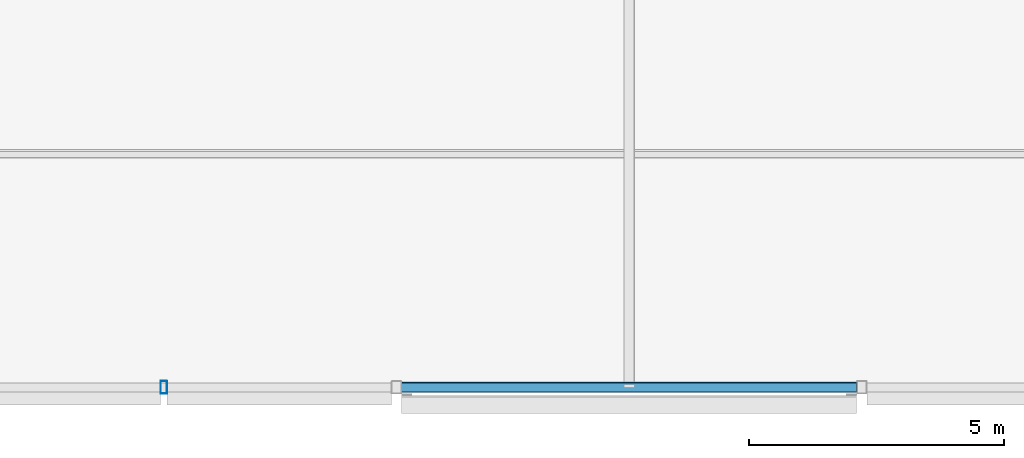
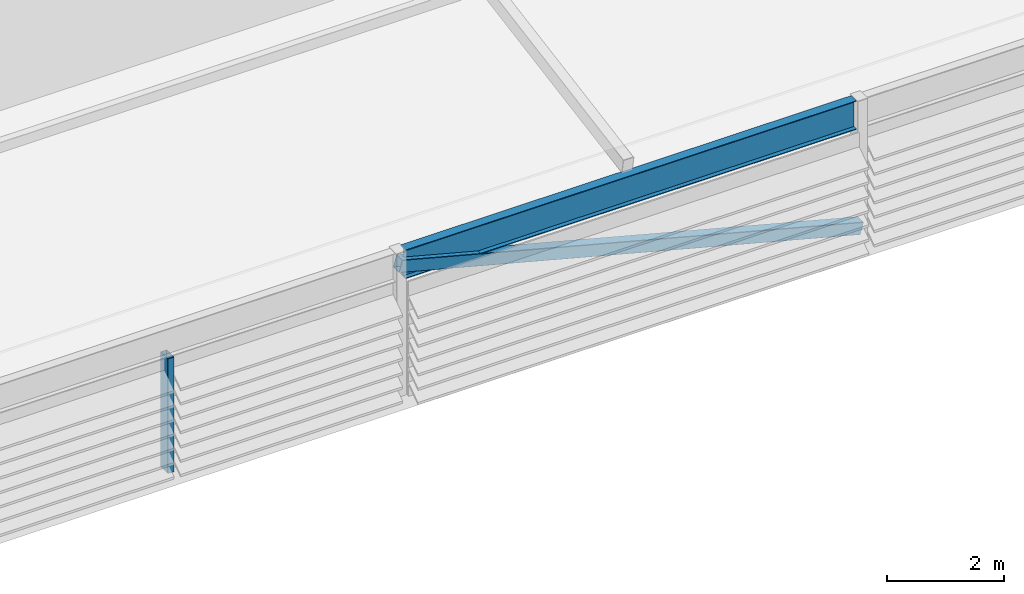
# One storey, part 6 of 46: 2 members, 1 beam.
"""IFC4 building model written with IfcOpenShell, lengths in metres."""

from ifc_helpers import new_model, si_unit, direction, frame, origin, origin_2d, place, context, subcontext, project, spatial, hollow_rectangle, i_section, extrude, material, material_profile, profile_set, type_object, element, save


model = new_model("IFC4")

# Units and contexts
model_context = context("Model", 3, precision=1e-05, world=origin(), true_north=direction((0.0, 1.0)))
body_context = subcontext(model_context, "Body", "Model", "MODEL_VIEW")
ifc_project = project(units=[si_unit("LENGTHUNIT", "METRE"), si_unit("AREAUNIT", "SQUARE_METRE"), si_unit("VOLUMEUNIT", "CUBIC_METRE"), si_unit("PLANEANGLEUNIT", "RADIAN"), si_unit("MASSUNIT", "GRAM", prefix="KILO")], contexts=[model_context])

# Site, building, storey
site_placement = place(None, origin())
site = spatial("IfcSite", under=ifc_project, at=site_placement, CompositionType="ELEMENT")
building_placement = place(site_placement, origin())
building = spatial("IfcBuilding", under=site, at=building_placement, Name="Madar Terraces", CompositionType="ELEMENT")
storey_placement = place(building_placement, frame((0.0, 0.0, 317.300048828125)))
storey = spatial("IfcBuildingStorey", under=building, at=storey_placement, Name="L82", CompositionType="ELEMENT", Elevation=317.300048828125)

# Beam
ifc_material_1 = material(Name="Steel ASTM A992 Grade 50", Category="steel")
ifc_material_profile_1 = material_profile(ifc_material_1, i_section(OverallWidth=0.1787109375, OverallDepth=0.60205078125, WebThickness=0.010986328125, FlangeThickness=0.014892578125, at=origin_2d()), Name="W24x62")
ifc_profile_set_1 = profile_set([ifc_material_profile_1], Name="Steel ASTM A992 Grade 50")
beam_type = type_object("IfcBeamType", Name="CF2 W24x62", PredefinedType="BEAM", material=ifc_profile_set_1)
beam_placement = place(storey_placement, frame((24.341552734375, 1.199951171875, 2.698974609375), z_axis=(1.0, 0.0, 0.0), x_axis=(0.0, 1.0, 0.0)))
element("IfcBeam", 1, at=beam_placement, inside=storey, type_object=beam_type, Name="Crown frame ring beam CF2", PredefinedType="BEAM", context=body_context, shape_type="SweptSolid", body=[
    extrude(i_section(OverallWidth=0.1787109375, OverallDepth=0.60205078125, WebThickness=0.010986328125, FlangeThickness=0.014892578125, at=origin_2d()), origin(), (0.0, 0.0, 1.0), 8.916748046875),
])

# Members
ifc_material_2 = material(Name="Steel ASTM A500 Grade C", Category="steel")
ifc_material_profile_2 = material_profile(ifc_material_2, hollow_rectangle(XDim=0.203125, YDim=0.25390625, WallThickness=0.009521484375, InnerFilletRadius=0.00439453125, OuterFilletRadius=0.01318359375, at=origin_2d()), Name="HSS10x8x.375")
ifc_profile_set_2 = profile_set([ifc_material_profile_2], Name="Steel ASTM A500 Grade C")
member_type_1 = type_object("IfcMemberType", Name="CF5 crown frame brace HSS10x8x.375", PredefinedType="BRACE", material=ifc_profile_set_2)
member_1_placement = place(storey_placement, frame((24.239990234375, 1.199951171875, 2.698974609375), z_axis=(0.967103370948, 0.0, -0.254383706043), x_axis=(0.0, 1.0, 0.0)))
element("IfcMember", 2, at=member_1_placement, inside=storey, type_object=member_type_1, Name="Crown frame brace CF5", PredefinedType="BRACE", context=body_context, shape_type="SweptSolid", body=[
    extrude(hollow_rectangle(XDim=0.203125, YDim=0.25390625, WallThickness=0.009521484375, InnerFilletRadius=0.00439453125, OuterFilletRadius=0.01318359375, at=origin_2d()), origin(), (0.0, 0.0, 1.0), 9.430419921875),
])
ifc_material_3 = material(Name="Steel ASTM A500 Grade C", Category="steel")
ifc_material_profile_3 = material_profile(ifc_material_3, hollow_rectangle(XDim=0.126953125, YDim=0.25390625, WallThickness=0.00634765625, InnerFilletRadius=0.0029296875, OuterFilletRadius=0.0087890625, at=origin_2d()), Name="HSS10x5x.25")
ifc_profile_set_3 = profile_set([ifc_material_profile_3], Name="Steel ASTM A500 Grade C")
member_type_2 = type_object("IfcMemberType", Name="LS2 HSS10x5x.25", PredefinedType="POST", material=ifc_profile_set_3)
member_2_placement = place(storey_placement, frame((19.679931640625, 1.199951171875, 0.0), z_axis=(0.0, 0.0, 1.0), x_axis=(1.0, 0.0, 0.0)))
element("IfcMember", 3, at=member_2_placement, inside=storey, type_object=member_type_2, Name="Crown louvre post LS2", PredefinedType="POST", context=body_context, shape_type="SweptSolid", body=[
    extrude(hollow_rectangle(XDim=0.126953125, YDim=0.25390625, WallThickness=0.00634765625, InnerFilletRadius=0.0029296875, OuterFilletRadius=0.0087890625, at=origin_2d()), origin(), (0.0, 0.0, 1.0), 2.39794921875),
])

save(model, "model.ifc")
